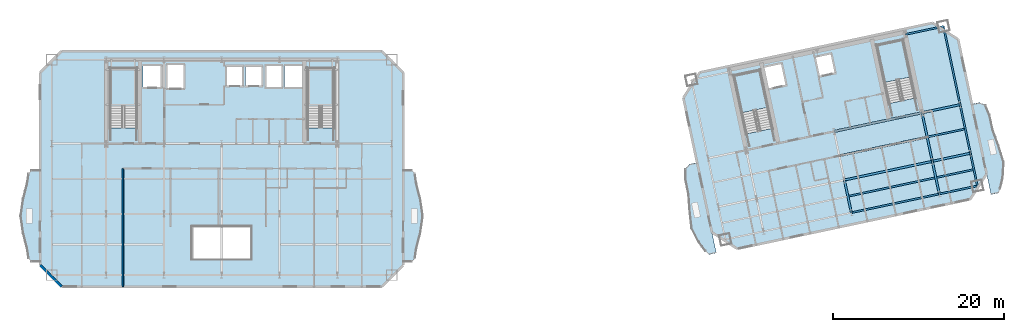
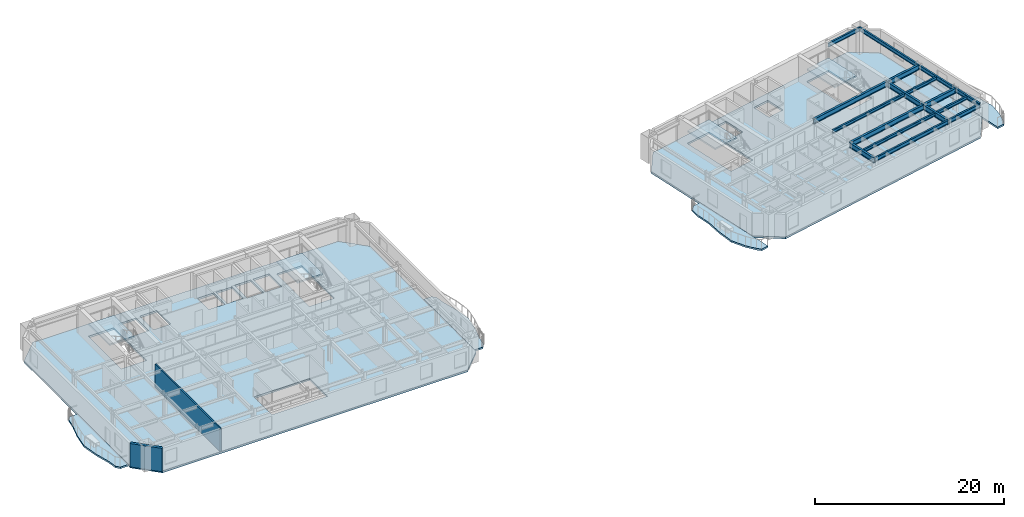
# One storey, part 4 of 13: 17 beams, 10 slabs, 2 walls, 4 elements without a shape of their own.
"""IFC4 building model written with IfcOpenShell, lengths in metres."""

from ifc_helpers import new_model, si_unit, direction, frame, frame_2d, origin, origin_2d, place, context, subcontext, project, spatial, polyline, rectangle, i_section, outline, extrude, material, layer, layer_set, material_profile, profile_set, type_object, element, aggregate, save


model = new_model("IFC4")

# Units and contexts
model_context = context("Model", 3, precision=1e-05, world=origin(), true_north=direction((0.0, 1.0)))
body_context = subcontext(model_context, "Body", "Model", "MODEL_VIEW")
ifc_project = project(units=[si_unit("LENGTHUNIT", "METRE"), si_unit("AREAUNIT", "SQUARE_METRE"), si_unit("VOLUMEUNIT", "CUBIC_METRE"), si_unit("PLANEANGLEUNIT", "RADIAN"), si_unit("MASSUNIT", "GRAM", prefix="KILO")], contexts=[model_context])

# Site, building, storey
site_placement = place(None, origin())
site = spatial("IfcSite", under=ifc_project, at=site_placement, CompositionType="ELEMENT")
building_placement = place(site_placement, origin())
building = spatial("IfcBuilding", under=site, at=building_placement, Name="Haevon Station Towers", CompositionType="ELEMENT")
storey_placement = place(building_placement, frame((0.0, 0.0, 142.800048828125)))
storey = spatial("IfcBuildingStorey", under=building, at=storey_placement, Name="L38", CompositionType="ELEMENT", Elevation=142.800048828125)

# Beams
ifc_material_1 = material(Name="Steel S355", Category="steel")
ifc_material_profile_1 = material_profile(ifc_material_1, i_section(OverallWidth=0.25, OverallDepth=0.64990234375, WebThickness=0.012939453125, FlangeThickness=0.02197265625, at=origin_2d()), Name="H-650x250x13x22")
ifc_profile_set_1 = profile_set([ifc_material_profile_1], Name="Steel S355")
beam_type_1 = type_object("IfcBeamType", Name="BM-G650", PredefinedType="BEAM", material=ifc_profile_set_1)
beam_1_placement = place(storey_placement, frame((110.228759765625, 33.9521484375, 2.724853515625), z_axis=(0.978146794194, 0.207915485254, 0.0), x_axis=(-0.207915485254, 0.978146794194, 0.0)))
element("IfcBeam", 1, at=beam_1_placement, inside=storey, type_object=beam_type_1, Name="BM-T2U-L38-02-03", PredefinedType="BEAM", context=body_context, shape_type="SweptSolid", body=[
    extrude(i_section(OverallWidth=0.25, OverallDepth=0.64990234375, WebThickness=0.012939453125, FlangeThickness=0.02197265625, at=origin_2d()), origin(), (0.0, 0.0, 1.0), 10.5),
])
beam_2_placement = place(storey_placement, frame((120.499267578125, 36.13525390625, 2.724853515625), z_axis=(0.978146576304, 0.207916510322, 0.0), x_axis=(-0.207916510322, 0.978146576304, 0.0)))
element("IfcBeam", 2, at=beam_2_placement, inside=storey, type_object=beam_type_1, Name="BM-T2U-L38-02-04", PredefinedType="BEAM", context=body_context, shape_type="SweptSolid", body=[
    extrude(i_section(OverallWidth=0.25, OverallDepth=0.64990234375, WebThickness=0.012939453125, FlangeThickness=0.02197265625, at=origin_2d()), origin(), (0.0, 0.0, 1.0), 4.550048828125),
])
beam_3_placement = place(storey_placement, frame((109.02294921875, 39.62548828125, 2.724853515625), z_axis=(0.978146794194, 0.207915485254, 0.0), x_axis=(-0.207915485254, 0.978146794194, 0.0)))
element("IfcBeam", 3, at=beam_3_placement, inside=storey, type_object=beam_type_1, Name="BM-T2U-L38-03-03", PredefinedType="BEAM", context=body_context, shape_type="SweptSolid", body=[
    extrude(i_section(OverallWidth=0.25, OverallDepth=0.64990234375, WebThickness=0.012939453125, FlangeThickness=0.02197265625, at=origin_2d()), origin(), (0.0, 0.0, 1.0), 10.5),
])
beam_4_placement = place(storey_placement, frame((119.29345703125, 41.80859375, 2.724853515625), z_axis=(0.978146576304, 0.207916510322, 0.0), x_axis=(-0.207916510322, 0.978146576304, 0.0)))
element("IfcBeam", 4, at=beam_4_placement, inside=storey, type_object=beam_type_1, Name="BM-T2U-L38-03-04", PredefinedType="BEAM", context=body_context, shape_type="SweptSolid", body=[
    extrude(i_section(OverallWidth=0.25, OverallDepth=0.64990234375, WebThickness=0.012939453125, FlangeThickness=0.02197265625, at=origin_2d()), origin(), (0.0, 0.0, 1.0), 4.550048828125),
])
for number, where, z_axis, x_axis, name in (
    (5, (111.03955078125, 30.137451171875, 2.724853515625), (-0.207899934746, 0.97815009949, 0.0), (-0.97815009949, -0.207899934746, 0.0), "BM-T2V-L38-03-01"),
    (6, (121.310302734375, 32.320556640625, 2.724853515625), (-0.207959829392, 0.978137367326, 0.0), (-0.978137367326, -0.207959829392, 0.0), "BM-T2V-L38-04-01"),
):
    element("IfcBeam", number, at=place(storey_placement, frame(where, z_axis=z_axis, x_axis=x_axis)), inside=storey, type_object=beam_type_1, Name=name, PredefinedType="BEAM", context=body_context, shape_type="SweptSolid", body=[
        extrude(i_section(OverallWidth=0.25, OverallDepth=0.64990234375, WebThickness=0.012939453125, FlangeThickness=0.02197265625, at=origin_2d()), origin(), (0.0, 0.0, 1.0), 3.89990234375),
    ])
beam_5_placement = place(storey_placement, frame((120.499267578125, 36.13525390625, 2.724853515625), z_axis=(-0.207896009217, 0.97815093383, 0.0), x_axis=(-0.97815093383, -0.207896009217, 0.0)))
element("IfcBeam", 7, at=beam_5_placement, inside=storey, type_object=beam_type_1, Name="BM-T2V-L38-04-02", PredefinedType="BEAM", context=body_context, shape_type="SweptSolid", body=[
    extrude(i_section(OverallWidth=0.25, OverallDepth=0.64990234375, WebThickness=0.012939453125, FlangeThickness=0.02197265625, at=origin_2d()), origin(), (0.0, 0.0, 1.0), 5.800048828125),
])
ifc_material_profile_2 = material_profile(ifc_material_1, i_section(OverallWidth=0.199951171875, OverallDepth=0.39990234375, WebThickness=0.008056640625, FlangeThickness=0.012939453125, at=origin_2d()), Name="H-400x200x8x13")
ifc_profile_set_2 = profile_set([ifc_material_profile_2], Name="Steel S355")
beam_type_2 = type_object("IfcBeamType", Name="BM-J400", PredefinedType="JOIST", material=ifc_profile_set_2)
beam_6_placement = place(storey_placement, frame((110.74169921875, 32.067626953125, 2.849853515625), z_axis=(0.978145509903, 0.207921527161, 0.0), x_axis=(-0.207921527161, 0.978145509903, 0.0)))
element("IfcBeam", 8, at=beam_6_placement, inside=storey, type_object=beam_type_2, Name="BM-T2J-L38-01-03", PredefinedType="JOIST", context=body_context, shape_type="SweptSolid", body=[
    extrude(i_section(OverallWidth=0.199951171875, OverallDepth=0.39990234375, WebThickness=0.008056640625, FlangeThickness=0.012939453125, at=origin_2d()), origin(), (0.0, 0.0, 1.0), 10.280029296875),
])
beam_7_placement = place(storey_placement, frame((121.012451171875, 34.250732421875, 2.849853515625), z_axis=(0.978141078405, 0.207942373597, 0.0), x_axis=(-0.207942373597, 0.978141078405, 0.0)))
element("IfcBeam", 9, at=beam_7_placement, inside=storey, type_object=beam_type_2, Name="BM-T2J-L38-01-04", PredefinedType="JOIST", context=body_context, shape_type="SweptSolid", body=[
    extrude(i_section(OverallWidth=0.199951171875, OverallDepth=0.39990234375, WebThickness=0.008056640625, FlangeThickness=0.012939453125, at=origin_2d()), origin(), (0.0, 0.0, 1.0), 4.330078125),
])
beam_8_placement = place(storey_placement, frame((109.7333984375, 36.811767578125, 2.849853515625), z_axis=(0.978150339653, 0.207898804801, 0.0), x_axis=(-0.207898804801, 0.978150339653, 0.0)))
element("IfcBeam", 10, at=beam_8_placement, inside=storey, type_object=beam_type_2, Name="BM-T2J-L38-02-03", PredefinedType="JOIST", context=body_context, shape_type="SweptSolid", body=[
    extrude(i_section(OverallWidth=0.199951171875, OverallDepth=0.39990234375, WebThickness=0.008056640625, FlangeThickness=0.012939453125, at=origin_2d()), origin(), (0.0, 0.0, 1.0), 10.280029296875),
])
beam_9_placement = place(storey_placement, frame((120.00390625, 38.994873046875, 2.849853515625), z_axis=(0.978152545287, 0.207888427166, 0.0), x_axis=(-0.207888427166, 0.978152545287, 0.0)))
element("IfcBeam", 11, at=beam_9_placement, inside=storey, type_object=beam_type_2, Name="BM-T2J-L38-02-04", PredefinedType="JOIST", context=body_context, shape_type="SweptSolid", body=[
    extrude(i_section(OverallWidth=0.199951171875, OverallDepth=0.39990234375, WebThickness=0.008056640625, FlangeThickness=0.012939453125, at=origin_2d()), origin(), (0.0, 0.0, 1.0), 4.329833984375),
])
ifc_material_profile_3 = material_profile(ifc_material_1, i_section(OverallWidth=0.199951171875, OverallDepth=0.5, WebThickness=0.010009765625, FlangeThickness=0.01611328125, at=origin_2d()), Name="H-500x200x10x16")
ifc_profile_set_3 = profile_set([ifc_material_profile_3], Name="Steel S355")
beam_type_3 = type_object("IfcBeamType", Name="BM-SP500", PredefinedType="SPANDREL", material=ifc_profile_set_3)
beam_10_placement = place(storey_placement, frame((111.03955078125, 30.137451171875, 2.800048828125), z_axis=(0.978147799298, 0.207910756646, 0.0), x_axis=(-0.207910756646, 0.978147799298, 0.0)))
element("IfcBeam", 12, at=beam_10_placement, inside=storey, type_object=beam_type_3, Name="BM-T2U-L38-01-03", PredefinedType="SPANDREL", context=body_context, shape_type="SweptSolid", body=[
    extrude(i_section(OverallWidth=0.199951171875, OverallDepth=0.5, WebThickness=0.010009765625, FlangeThickness=0.01611328125, at=origin_2d()), origin(), (0.0, 0.0, 1.0), 10.500244140625),
])
beam_11_placement = place(storey_placement, frame((121.310302734375, 32.320556640625, 2.800048828125), z_axis=(0.978144256617, 0.207927423029, 0.0), x_axis=(-0.207927423029, 0.978144256617, 0.0)))
element("IfcBeam", 13, at=beam_11_placement, inside=storey, type_object=beam_type_3, Name="BM-T2U-L38-01-04", PredefinedType="SPANDREL", context=body_context, shape_type="SweptSolid", body=[
    extrude(i_section(OverallWidth=0.199951171875, OverallDepth=0.5, WebThickness=0.010009765625, FlangeThickness=0.01611328125, at=origin_2d()), origin(), (0.0, 0.0, 1.0), 4.5498046875),
])
beam_12_placement = place(storey_placement, frame((117.349365234375, 50.954345703125, 2.800048828125), z_axis=(0.978157487225, 0.207865173094, 0.0), x_axis=(-0.207865173094, 0.978157487225, 0.0)))
element("IfcBeam", 14, at=beam_12_placement, inside=storey, type_object=beam_type_3, Name="BM-T2U-L38-04-04", PredefinedType="SPANDREL", context=body_context, shape_type="SweptSolid", body=[
    extrude(i_section(OverallWidth=0.199951171875, OverallDepth=0.5, WebThickness=0.010009765625, FlangeThickness=0.01611328125, at=origin_2d()), origin(), (0.0, 0.0, 1.0), 4.550048828125),
])
beam_13_placement = place(storey_placement, frame((125.7607421875, 33.2666015625, 2.800048828125), z_axis=(-0.207899934746, 0.97815009949, 0.0), x_axis=(-0.97815009949, -0.207899934746, 0.0)))
element("IfcBeam", 15, at=beam_13_placement, inside=storey, type_object=beam_type_3, Name="BM-T2V-L38-05-01", PredefinedType="SPANDREL", context=body_context, shape_type="SweptSolid", body=[
    extrude(i_section(OverallWidth=0.199951171875, OverallDepth=0.5, WebThickness=0.010009765625, FlangeThickness=0.01611328125, at=origin_2d()), origin(), (0.0, 0.0, 1.0), 3.89990234375),
])
beam_14_placement = place(storey_placement, frame((124.949951171875, 37.081298828125, 2.800048828125), z_axis=(-0.207896009217, 0.97815093383, 0.0), x_axis=(-0.97815093383, -0.207896009217, 0.0)))
element("IfcBeam", 16, at=beam_14_placement, inside=storey, type_object=beam_type_3, Name="BM-T2V-L38-05-02", PredefinedType="SPANDREL", context=body_context, shape_type="SweptSolid", body=[
    extrude(i_section(OverallWidth=0.199951171875, OverallDepth=0.5, WebThickness=0.010009765625, FlangeThickness=0.01611328125, at=origin_2d()), origin(), (0.0, 0.0, 1.0), 5.800048828125),
])
beam_15_placement = place(storey_placement, frame((123.744140625, 42.754638671875, 2.800048828125), z_axis=(-0.207927460032, 0.978144248751, 0.0), x_axis=(-0.978144248751, -0.207927460032, 0.0)))
element("IfcBeam", 17, at=beam_15_placement, inside=storey, type_object=beam_type_3, Name="BM-T2V-L38-05-03", PredefinedType="SPANDREL", context=body_context, shape_type="SweptSolid", body=[
    extrude(i_section(OverallWidth=0.199951171875, OverallDepth=0.5, WebThickness=0.010009765625, FlangeThickness=0.01611328125, at=origin_2d()), origin(), (0.0, 0.0, 1.0), 9.349853515625),
])

# Slabs
ifc_material_2 = material(Name="Concrete C40/50", Category="concrete")
ifc_layer_1 = layer(ifc_material_2, 0.219970703125)
ifc_layer_set_1 = layer_set([ifc_layer_1], Name="Concrete C40/50")
slab_type_1 = type_object("IfcSlabType", Name="SL-BALC220", PredefinedType="FLOOR", material=ifc_layer_set_1)
slab_1_placement = place(storey_placement, frame((0.0, 0.0, -0.219970703125)))
element("IfcSlab", 18, at=slab_1_placement, inside=storey, type_object=slab_type_1, Name="Tower 1 L38 West SCALLOPED BALCONY", PredefinedType="FLOOR", context=body_context, shape_type="SweptSolid", body=[
    extrude(outline(polyline([(16.294921875, 35.14990234375), (15.306396484375, 35.14990234375), (14.94677734375, 34.739013671875), (14.762451171875, 33.568359375), (14.28759765625, 31.81640625), (13.941162109375, 29.75), (14.28759765625, 27.68359375), (14.762451171875, 25.931640625), (14.94677734375, 24.760986328125), (15.306396484375, 24.35009765625), (16.294921875, 24.35009765625), (16.294921875, 35.14990234375)])), origin(), (0.0, 0.0, 1.0), 0.219970703125),
])
slab_2_placement = place(storey_placement, frame((0.0, 0.0, -0.219970703125)))
element("IfcSlab", 19, at=slab_2_placement, inside=storey, type_object=slab_type_1, Name="Tower 1 L38 East SCALLOPED BALCONY", PredefinedType="FLOOR", context=body_context, shape_type="SweptSolid", body=[
    extrude(outline(polyline([(58.705078125, 24.35009765625), (59.693603515625, 24.35009765625), (60.05322265625, 24.760986328125), (60.237548828125, 25.931640625), (60.71240234375, 27.68359375), (61.058837890625, 29.75), (60.71240234375, 31.81640625), (60.237548828125, 33.568359375), (60.05322265625, 34.739013671875), (59.693603515625, 35.14990234375), (58.705078125, 35.14990234375), (58.705078125, 24.35009765625)])), origin(), (0.0, 0.0, 1.0), 0.219970703125),
])
slab_3_placement = place(storey_placement, frame((0.0, 0.0, -0.219970703125)))
element("IfcSlab", 20, at=slab_3_placement, inside=storey, type_object=slab_type_1, Name="Tower 2 L38 West SCALLOPED BALCONY", PredefinedType="FLOOR", context=body_context, shape_type="SweptSolid", body=[
    extrude(outline(polyline([(93.023193359375, 35.99462890625), (92.160400390625, 35.811279296875), (91.630615234375, 35.2783203125), (91.646728515625, 34.085205078125), (91.989990234375, 32.366943359375), (92.091796875, 30.27587890625), (92.374755859375, 28.2236328125), (93.234619140625, 26.615234375), (94.02392578125, 25.586181640625), (94.406005859375, 25.247314453125), (95.2685546875, 25.4306640625), (93.023193359375, 35.99462890625)])), origin(), (0.0, 0.0, 1.0), 0.219970703125),
])
slab_4_placement = place(storey_placement, frame((0.0, 0.0, -0.219970703125)))
element("IfcSlab", 21, at=slab_4_placement, inside=storey, type_object=slab_type_1, Name="Tower 2 L38 East SCALLOPED BALCONY", PredefinedType="FLOOR", context=body_context, shape_type="SweptSolid", body=[
    extrude(outline(polyline([(127.361572265625, 32.252197265625), (128.224365234375, 32.435546875), (128.435546875, 32.900634765625), (128.738037109375, 34.16162109375), (128.869140625, 35.980712890625), (128.29296875, 37.970703125), (127.535400390625, 39.92236328125), (127.150146484375, 41.631591796875), (126.6796875, 42.728271484375), (125.97900390625, 42.99951171875), (125.1162109375, 42.816162109375), (127.361572265625, 32.252197265625)])), origin(), (0.0, 0.0, 1.0), 0.219970703125),
])

# Stair, slab
stair_type = type_object("IfcStairType", Name="STR-DL1450", PredefinedType="USERDEFINED", material=ifc_material_2)
stair_1_placement = place(storey_placement, origin())
stair_1 = element("IfcStair", 22, at=stair_1_placement, inside=storey, type_object=stair_type, Name="L38 Escape Stair ST1", ObjectType="TWO_RETURN_STAIR", PredefinedType="USERDEFINED")
ifc_layer_2 = layer(ifc_material_2, 0.199951171875)
ifc_layer_set_2 = layer_set([ifc_layer_2], Name="Concrete C40/50")
slab_type_2 = type_object("IfcSlabType", Name="SL-LND200", PredefinedType="LANDING", material=ifc_layer_set_2)
slab_5_placement = place(storey_placement, frame((0.0, 0.0, 1.449951171875)))
slab_5 = element("IfcSlab", 23, at=slab_5_placement, type_object=slab_type_2, Name="L38 ST1 Half Landing 1", PredefinedType="LANDING", context=body_context, shape_type="SweptSolid", body=[
    extrude(outline(polyline([(27.580078125, 42.56396484375), (27.580078125, 47.0), (24.47998046875, 47.0), (24.47998046875, 42.56396484375), (27.580078125, 42.56396484375)])), origin(), (0.0, 0.0, 1.0), 0.199951171875),
])
aggregate(stair_1, [slab_5])

stair_2_placement = place(storey_placement, origin())
stair_2 = element("IfcStair", 24, at=stair_2_placement, inside=storey, type_object=stair_type, Name="L38 Escape Stair ST2", ObjectType="TWO_RETURN_STAIR", PredefinedType="USERDEFINED")
slab_6_placement = place(storey_placement, frame((0.0, 0.0, 1.449951171875)))
slab_6 = element("IfcSlab", 25, at=slab_6_placement, type_object=slab_type_2, Name="L38 ST2 Half Landing 1", PredefinedType="LANDING", context=body_context, shape_type="SweptSolid", body=[
    extrude(outline(polyline([(50.6201171875, 42.56396484375), (50.6201171875, 47.0), (47.52001953125, 47.0), (47.52001953125, 42.56396484375), (50.6201171875, 42.56396484375)])), origin(), (0.0, 0.0, 1.0), 0.199951171875),
])
aggregate(stair_2, [slab_6])

stair_3_placement = place(storey_placement, origin())
stair_3 = element("IfcStair", 26, at=stair_3_placement, inside=storey, type_object=stair_type, Name="L38 Escape Stair ST3", ObjectType="TWO_RETURN_STAIR", PredefinedType="USERDEFINED")
slab_7_placement = place(storey_placement, frame((0.0, 0.0, 1.449951171875)))
slab_7 = element("IfcSlab", 27, at=slab_7_placement, type_object=slab_type_2, Name="L38 ST3 Half Landing 1", PredefinedType="LANDING", context=body_context, shape_type="SweptSolid", body=[
    extrude(outline(polyline([(101.2880859375, 42.44287109375), (100.36572265625, 46.781982421875), (97.33349609375, 46.137451171875), (98.255859375, 41.79833984375), (101.2880859375, 42.44287109375)])), origin(), (0.0, 0.0, 1.0), 0.199951171875),
])
aggregate(stair_3, [slab_7])

stair_4_placement = place(storey_placement, origin())
stair_4 = element("IfcStair", 28, at=stair_4_placement, inside=storey, type_object=stair_type, Name="L38 Escape Stair ST4", ObjectType="TWO_RETURN_STAIR", PredefinedType="USERDEFINED")
slab_8_placement = place(storey_placement, frame((0.0, 0.0, 1.449951171875)))
slab_8 = element("IfcSlab", 29, at=slab_8_placement, type_object=slab_type_2, Name="L38 ST4 Half Landing 1", PredefinedType="LANDING", context=body_context, shape_type="SweptSolid", body=[
    extrude(outline(polyline([(117.975341796875, 45.989990234375), (117.052978515625, 50.328857421875), (114.020751953125, 49.684326171875), (114.943115234375, 45.345458984375), (117.975341796875, 45.989990234375)])), origin(), (0.0, 0.0, 1.0), 0.199951171875),
])
aggregate(stair_4, [slab_8])

# Slabs
ifc_layer_3 = layer(ifc_material_2, 0.25)
ifc_layer_set_3 = layer_set([ifc_layer_3], Name="Concrete C40/50")
slab_type_3 = type_object("IfcSlabType", Name="SL-TW250", PredefinedType="FLOOR", material=ifc_layer_set_3)
slab_9_placement = place(storey_placement, frame((0.0, 0.0, -0.25)))
element("IfcSlab", 30, at=slab_9_placement, inside=storey, type_object=slab_type_3, Name="SL-T1-L38", PredefinedType="FLOOR", context=body_context, shape_type="SweptSolid", body=[
    extrude(outline(polyline([(18.800048828125, 21.5), (56.199951171875, 21.5), (58.699951171875, 24.0), (58.699951171875, 46.5), (56.199951171875, 49.0), (18.800048828125, 49.0), (16.300048828125, 46.5), (16.300048828125, 24.0), (18.800048828125, 21.5)]), holes=[polyline([(27.580078125, 40.055908203125), (27.580078125, 47.0), (24.47998046875, 47.0), (24.47998046875, 40.055908203125), (27.580078125, 40.055908203125)]), polyline([(50.6201171875, 40.055908203125), (50.6201171875, 47.0), (47.52001953125, 47.0), (47.52001953125, 40.055908203125), (50.6201171875, 40.055908203125)]), polyline([(28.300048828125, 44.699951171875), (30.5, 44.699951171875), (30.5, 47.39990234375), (28.300048828125, 47.39990234375), (28.300048828125, 44.699951171875)]), polyline([(31.050048828125, 44.60009765625), (33.14990234375, 44.60009765625), (33.14990234375, 47.5), (31.050048828125, 47.5), (31.050048828125, 44.60009765625)]), polyline([(38.0, 44.89990234375), (40.0, 44.89990234375), (40.0, 47.300048828125), (38.0, 47.300048828125), (38.0, 44.89990234375)]), polyline([(40.25, 44.89990234375), (42.25, 44.89990234375), (42.25, 47.300048828125), (40.25, 47.300048828125), (40.25, 44.89990234375)]), polyline([(42.60009765625, 44.699951171875), (44.60009765625, 44.699951171875), (44.60009765625, 47.39990234375), (42.60009765625, 47.39990234375), (42.60009765625, 44.699951171875)]), polyline([(44.85009765625, 44.699951171875), (46.85009765625, 44.699951171875), (46.85009765625, 47.39990234375), (44.85009765625, 47.39990234375), (44.85009765625, 44.699951171875)]), polyline([(34.10009765625, 24.699951171875), (40.89990234375, 24.699951171875), (40.89990234375, 28.5), (34.10009765625, 28.5), (34.10009765625, 24.699951171875)])]), origin(), (0.0, 0.0, 1.0), 0.25),
])
slab_10_placement = place(storey_placement, frame((0.0, 0.0, -0.25)))
element("IfcSlab", 31, at=slab_10_placement, inside=storey, type_object=slab_type_3, Name="SL-T2-L38", PredefinedType="FLOOR", context=body_context, shape_type="SweptSolid", body=[
    extrude(outline(polyline([(97.72412109375, 25.927001953125), (124.91650390625, 31.70703125), (126.84228515625, 34.672119140625), (123.505126953125, 50.371337890625), (120.5400390625, 52.296875), (93.347412109375, 46.51708984375), (91.421875, 43.5517578125), (94.759033203125, 27.8525390625), (97.72412109375, 25.927001953125)]), holes=[polyline([(101.8095703125, 39.98974609375), (100.36572265625, 46.781982421875), (97.33349609375, 46.137451171875), (98.77734375, 39.34521484375), (101.8095703125, 39.98974609375)]), polyline([(118.496826171875, 43.53662109375), (117.052978515625, 50.328857421875), (114.020751953125, 49.684326171875), (115.464599609375, 42.89208984375), (118.496826171875, 43.53662109375)]), polyline([(101.43212890625, 44.554931640625), (103.486328125, 44.99169921875), (102.9248046875, 47.632568359375), (100.870849609375, 47.196044921875), (101.43212890625, 44.554931640625)]), polyline([(107.259521484375, 45.998046875), (109.2158203125, 46.413818359375), (108.716796875, 48.761474609375), (106.760498046875, 48.345703125), (107.259521484375, 45.998046875)])]), origin(), (0.0, 0.0, 1.0), 0.25),
])

# Walls
ifc_material_3 = material(Name="Precast concrete C45/55", Category="concrete")
ifc_layer_4 = layer(ifc_material_3, 0.300048828125)
ifc_layer_set_4 = layer_set([ifc_layer_4], Name="Precast concrete C45/55")
wall_type_1 = type_object("IfcWallType", Name="WL-EXT-PIER300", PredefinedType="SOLIDWALL", material=ifc_layer_set_4)
wall_1_placement = place(storey_placement, frame((18.800048828125, 21.5, 0.0), z_axis=(0.0, 0.0, 1.0), x_axis=(-0.707106781187, 0.707106781187, 0.0)))
element("IfcWall", 32, at=wall_1_placement, inside=storey, type_object=wall_type_1, Name="WL-T1-L38-SWC", PredefinedType="SOLIDWALL", context=body_context, shape_type="SweptSolid", body=[
    extrude(rectangle(XDim=3.53564453125, YDim=0.300048828125, at=frame_2d((1.767822265625, 0.0))), origin(), (0.0, 0.0, 1.0), 3.030029296875),
])
ifc_material_4 = material(Name="Gypsum board on steel stud", Category="steel")
ifc_layer_5 = layer(ifc_material_4, 0.159912109375)
ifc_layer_set_5 = layer_set([ifc_layer_5], Name="Gypsum board on steel stud")
wall_type_2 = type_object("IfcWallType", Name="WL-PRT160", PredefinedType="PARTITIONING", material=ifc_layer_set_5)
wall_2_placement = place(storey_placement, frame((25.949951171875, 21.5, 0.0), z_axis=(0.0, 0.0, 1.0), x_axis=(0.0, 1.0, 0.0)))
element("IfcWall", 33, at=wall_2_placement, inside=storey, type_object=wall_type_2, Name="WL-T1PT-L38-01", PredefinedType="PARTITIONING", context=body_context, shape_type="SweptSolid", body=[
    extrude(rectangle(XDim=13.780029296875, YDim=0.159912109375, at=frame_2d((6.89013671875, 0.0))), origin(), (0.0, 0.0, 1.0), 3.030029296875),
])

save(model, "model.ifc")
